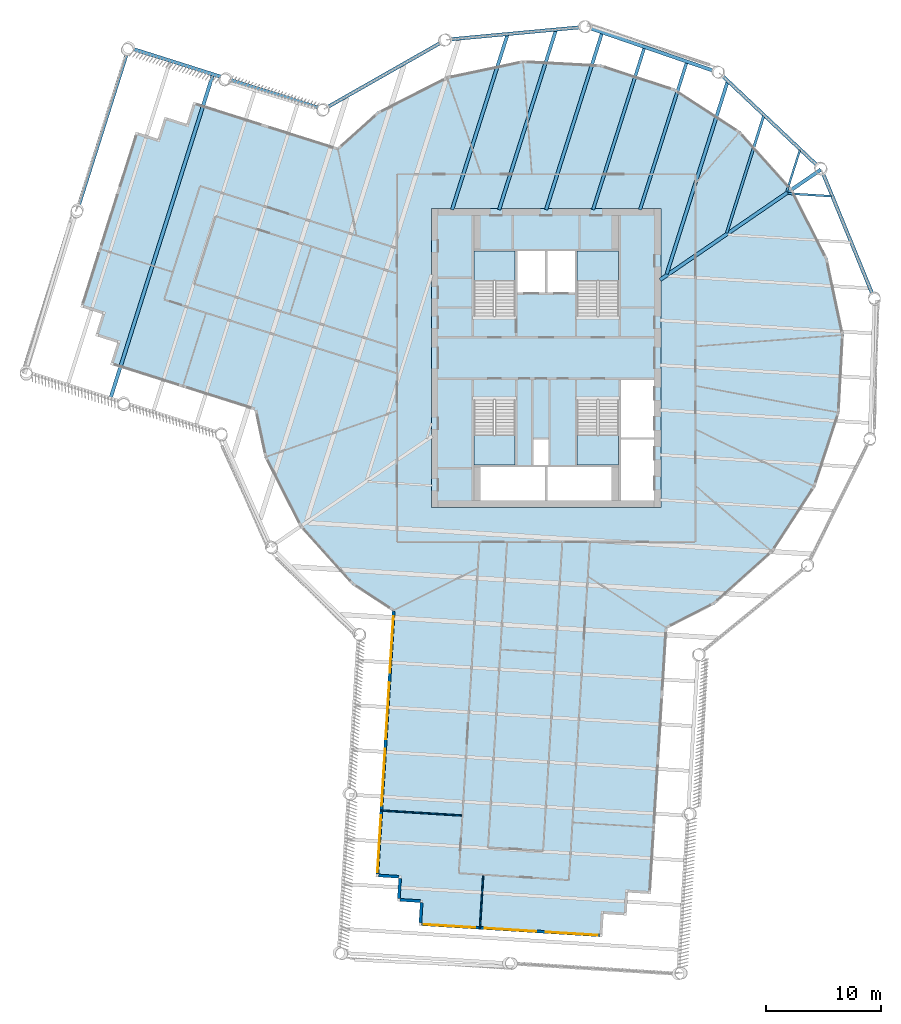
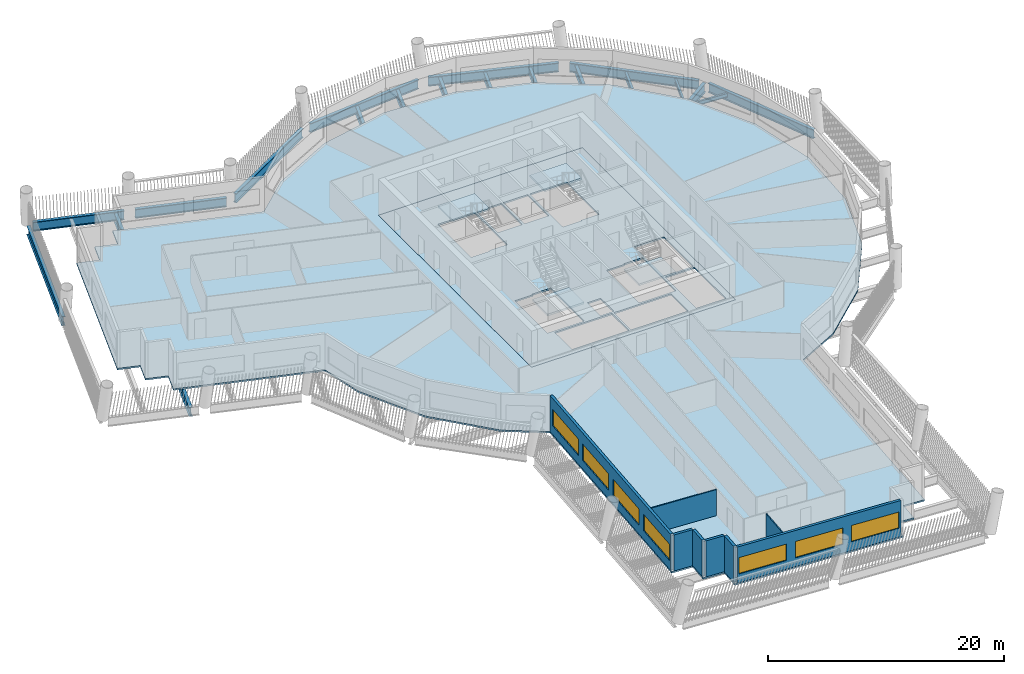
# One storey, part 2 of 15: 19 beams, 8 walls, 7 windows, 6 slabs, 7 openings, 4 elements without a shape of their own.
"""IFC4 building model written with IfcOpenShell, lengths in metres."""

from ifc_helpers import new_model, si_unit, direction, frame, frame_2d, origin, origin_2d, place, context, subcontext, project, spatial, polyline, rectangle, i_section, outline, extrude, material, layer, layer_set, material_profile, profile_set, type_object, element, fill, aggregate, save


model = new_model("IFC4")

# Units and contexts
model_context = context("Model", 3, precision=1e-05, world=origin(), true_north=direction((0.0, 1.0)))
body_context = subcontext(model_context, "Body", "Model", "MODEL_VIEW")
ifc_project = project(units=[si_unit("LENGTHUNIT", "METRE"), si_unit("AREAUNIT", "SQUARE_METRE"), si_unit("VOLUMEUNIT", "CUBIC_METRE"), si_unit("PLANEANGLEUNIT", "RADIAN"), si_unit("MASSUNIT", "GRAM", prefix="KILO")], contexts=[model_context])

# Site, building, storey
site_placement = place(None, origin())
site = spatial("IfcSite", under=ifc_project, at=site_placement, CompositionType="ELEMENT")
building_placement = place(site_placement, origin())
building = spatial("IfcBuilding", under=site, at=building_placement, Name="Tarsis Ring Headquarters", CompositionType="ELEMENT")
storey_placement = place(building_placement, frame((0.0, 0.0, 212.10009765625)))
storey = spatial("IfcBuildingStorey", under=building, at=storey_placement, Name="L49", CompositionType="ELEMENT", Elevation=212.10009765625)

# Beams
ifc_material_1 = material(Name="Structural steel S355", Category="steel")
ifc_material_profile_1 = material_profile(ifc_material_1, i_section(OverallWidth=0.177734375, OverallDepth=0.406494140625, WebThickness=0.0078125, FlangeThickness=0.0126953125, at=origin_2d()), Name="W16x40")
ifc_profile_set_1 = profile_set([ifc_material_profile_1], Name="Structural steel S355")
beam_type_1 = type_object("IfcBeamType", Name="FB Floor beam W16x40", PredefinedType="JOIST", material=ifc_profile_set_1)
for number, where, z_axis, x_axis, name in (
    (1, (21.048583984375, 14.320556640625, -0.36328125), (0.998073492678, -0.062042753113, 0.0), (0.062042753113, 0.998073492678, 0.0), "Floor beam FB1"),
    (2, (22.091064453125, 18.1025390625, -0.36328125), (-0.301736204817, -0.953391453026, 0.0), (0.953391453026, -0.301736204817, 0.0), "Floor beam FB1"),
):
    element("IfcBeam", number, at=place(storey_placement, frame(where, z_axis=z_axis, x_axis=x_axis)), inside=storey, type_object=beam_type_1, Name=name, PredefinedType="JOIST", context=body_context, shape_type="SweptSolid", body=[
        extrude(i_section(OverallWidth=0.177734375, OverallDepth=0.406494140625, WebThickness=0.0078125, FlangeThickness=0.0126953125, at=origin_2d()), origin(), (0.0, 0.0, 1.0), 3.80517578125),
    ])
ifc_material_profile_2 = material_profile(ifc_material_1, i_section(OverallWidth=0.228271484375, OverallDepth=0.607177734375, WebThickness=0.01123046875, FlangeThickness=0.017333984375, at=origin_2d()), Name="W24x76")
ifc_profile_set_2 = profile_set([ifc_material_profile_2], Name="Structural steel S355")
beam_type_2 = type_object("IfcBeamType", Name="FB Floor beam W24x76", PredefinedType="JOIST", material=ifc_profile_set_2)
beam_1_placement = place(storey_placement, frame((18.9423828125, 21.0791015625, -0.463623046875), z_axis=(-0.301699952771, -0.953402925577, 0.0), x_axis=(0.953402925577, -0.301699952771, 0.0)))
element("IfcBeam", 3, at=beam_1_placement, inside=storey, type_object=beam_type_2, Name="Floor beam FB4", PredefinedType="JOIST", context=body_context, shape_type="SweptSolid", body=[
    extrude(i_section(OverallWidth=0.228271484375, OverallDepth=0.607177734375, WebThickness=0.01123046875, FlangeThickness=0.017333984375, at=origin_2d()), origin(), (0.0, 0.0, 1.0), 10.684814453125),
])
ifc_material_profile_3 = material_profile(ifc_material_1, i_section(OverallWidth=0.2666015625, OverallDepth=0.7568359375, WebThickness=0.013916015625, FlangeThickness=0.019287109375, at=origin_2d()), Name="W30x108")
ifc_profile_set_3 = profile_set([ifc_material_profile_3], Name="Structural steel S355")
beam_type_3 = type_object("IfcBeamType", Name="FB Floor beam W30x108", PredefinedType="JOIST", material=ifc_profile_set_3)
beam_2_placement = place(storey_placement, frame((12.2412109375, 25.755859375, -0.53857421875), z_axis=(-0.30171035021, -0.953399635293, 0.0), x_axis=(0.953399635293, -0.30171035021, 0.0)))
element("IfcBeam", 4, at=beam_2_placement, inside=storey, type_object=beam_type_3, Name="Floor beam FB6", PredefinedType="JOIST", context=body_context, shape_type="SweptSolid", body=[
    extrude(i_section(OverallWidth=0.2666015625, OverallDepth=0.7568359375, WebThickness=0.013916015625, FlangeThickness=0.019287109375, at=origin_2d()), origin(), (0.0, 0.0, 1.0), 13.4794921875),
])
beam_3_placement = place(storey_placement, frame((8.553466796875, 27.029052734375, -0.53857421875), z_axis=(-0.301705478418, -0.953401176993, 0.0), x_axis=(0.953401176993, -0.301705478418, 0.0)))
element("IfcBeam", 5, at=beam_3_placement, inside=storey, type_object=beam_type_3, Name="Floor beam FB6", PredefinedType="JOIST", context=body_context, shape_type="SweptSolid", body=[
    extrude(i_section(OverallWidth=0.2666015625, OverallDepth=0.7568359375, WebThickness=0.013916015625, FlangeThickness=0.019287109375, at=origin_2d()), origin(), (0.0, 0.0, 1.0), 14.81494140625),
])
ifc_material_profile_4 = material_profile(ifc_material_1, i_section(OverallWidth=0.2919921875, OverallDepth=0.835693359375, WebThickness=0.013916015625, FlangeThickness=0.018798828125, at=origin_2d()), Name="W33x118")
ifc_profile_set_4 = profile_set([ifc_material_profile_4], Name="Structural steel S355")
beam_type_4 = type_object("IfcBeamType", Name="FB Floor beam W33x118", PredefinedType="JOIST", material=ifc_profile_set_4)
beam_4_placement = place(storey_placement, frame((15.793701171875, 24.055419921875, -0.577880859375), z_axis=(-0.301708731504, -0.953400147543, 0.0), x_axis=(0.953400147543, -0.301708731504, 0.0)))
element("IfcBeam", 6, at=beam_4_placement, inside=storey, type_object=beam_type_4, Name="Floor beam FB7", PredefinedType="JOIST", context=body_context, shape_type="SweptSolid", body=[
    extrude(i_section(OverallWidth=0.2919921875, OverallDepth=0.835693359375, WebThickness=0.013916015625, FlangeThickness=0.018798828125, at=origin_2d()), origin(), (0.0, 0.0, 1.0), 17.564453125),
])
beam_5_placement = place(storey_placement, frame((4.86572265625, 28.30224609375, -0.577880859375), z_axis=(-0.301701412278, -0.953402463721, 0.0), x_axis=(0.953402463721, -0.301701412278, 0.0)))
element("IfcBeam", 7, at=beam_5_placement, inside=storey, type_object=beam_type_4, Name="Floor beam FB7", PredefinedType="JOIST", context=body_context, shape_type="SweptSolid", body=[
    extrude(i_section(OverallWidth=0.2919921875, OverallDepth=0.835693359375, WebThickness=0.013916015625, FlangeThickness=0.018798828125, at=origin_2d()), origin(), (0.0, 0.0, 1.0), 16.150146484375),
])
beam_6_placement = place(storey_placement, frame((0.847900390625, 28.532958984375, -0.577880859375), z_axis=(-0.301700837221, -0.953402645696, 0.0), x_axis=(0.953402645696, -0.301700837221, 0.0)))
element("IfcBeam", 8, at=beam_6_placement, inside=storey, type_object=beam_type_4, Name="Floor beam FB7", PredefinedType="JOIST", context=body_context, shape_type="SweptSolid", body=[
    extrude(i_section(OverallWidth=0.2919921875, OverallDepth=0.835693359375, WebThickness=0.013916015625, FlangeThickness=0.018798828125, at=origin_2d()), origin(), (0.0, 0.0, 1.0), 16.392333984375),
])
beam_7_placement = place(storey_placement, frame((-3.3662109375, 28.14208984375, -0.577880859375), z_axis=(-0.301709594479, -0.953399874449, 0.0), x_axis=(0.953399874449, -0.301709594479, 0.0)))
element("IfcBeam", 9, at=beam_7_placement, inside=storey, type_object=beam_type_4, Name="Floor beam FB7", PredefinedType="JOIST", context=body_context, shape_type="SweptSolid", body=[
    extrude(i_section(OverallWidth=0.2919921875, OverallDepth=0.835693359375, WebThickness=0.013916015625, FlangeThickness=0.018798828125, at=origin_2d()), origin(), (0.0, 0.0, 1.0), 15.982421875),
])
ifc_material_profile_5 = material_profile(ifc_material_1, i_section(OverallWidth=0.309814453125, OverallDepth=0.949951171875, WebThickness=0.0244140625, FlangeThickness=0.0439453125, at=origin_2d()), Name="W36x256")
ifc_profile_set_5 = profile_set([ifc_material_profile_5], Name="Structural steel S355")
beam_type_5 = type_object("IfcBeamType", Name="FB Floor beam W36x256", PredefinedType="JOIST", material=ifc_profile_set_5)
beam_8_placement = place(storey_placement, frame((-29.015869140625, 24.647705078125, -0.635009765625), z_axis=(-0.301703842889, -0.953401694558, 0.0), x_axis=(0.953401694558, -0.301703842889, 0.0)))
element("IfcBeam", 10, at=beam_8_placement, inside=storey, type_object=beam_type_5, Name="Floor beam FB11", PredefinedType="JOIST", context=body_context, shape_type="SweptSolid", body=[
    extrude(i_section(OverallWidth=0.309814453125, OverallDepth=0.949951171875, WebThickness=0.0244140625, FlangeThickness=0.0439453125, at=origin_2d()), origin(), (0.0, 0.0, 1.0), 29.489990234375),
])
beam_type_6 = type_object("IfcBeamType", Name="FB Floor beam W36x256 spine", PredefinedType="BEAM", material=ifc_profile_set_5)
beam_9_placement = place(storey_placement, frame((23.90869140625, 16.39501953125, -0.635009765625), z_axis=(-0.824721564367, -0.565538982978, 0.0), x_axis=(0.565538982978, -0.824721564367, 0.0)))
element("IfcBeam", 11, at=beam_9_placement, inside=storey, type_object=beam_type_6, Name="Floor beam SB11", PredefinedType="BEAM", context=body_context, shape_type="SweptSolid", body=[
    extrude(i_section(OverallWidth=0.309814453125, OverallDepth=0.949951171875, WebThickness=0.0244140625, FlangeThickness=0.0439453125, at=origin_2d()), origin(), (0.0, 0.0, 1.0), 16.96484375),
])
beam_type_7 = type_object("IfcBeamType", Name="XG Ring girder W36x256", PredefinedType="BEAM", material=ifc_profile_set_5)
beam_10_placement = place(storey_placement, frame((28.416748046875, 5.537109375, -0.47509765625), z_axis=(-0.37896629481, 0.925410475085, 0.0), x_axis=(-0.925410475085, -0.37896629481, 0.0)))
element("IfcBeam", 12, at=beam_10_placement, inside=storey, type_object=beam_type_7, Name="Ring girder XG2", PredefinedType="BEAM", context=body_context, shape_type="SweptSolid", body=[
    extrude(i_section(OverallWidth=0.309814453125, OverallDepth=0.949951171875, WebThickness=0.0244140625, FlangeThickness=0.0439453125, at=origin_2d()), origin(), (0.0, 0.0, 1.0), 11.288818359375),
])
beam_11_placement = place(storey_placement, frame((23.60791015625, 16.758056640625, -0.47509765625), z_axis=(-0.726713197085, 0.686940993959, 0.0), x_axis=(-0.686940993959, -0.726713197085, 0.0)))
element("IfcBeam", 13, at=beam_11_placement, inside=storey, type_object=beam_type_7, Name="Ring girder XG2", PredefinedType="BEAM", context=body_context, shape_type="SweptSolid", body=[
    extrude(i_section(OverallWidth=0.309814453125, OverallDepth=0.949951171875, WebThickness=0.0244140625, FlangeThickness=0.0439453125, at=origin_2d()), origin(), (0.0, 0.0, 1.0), 11.28857421875),
])
beam_12_placement = place(storey_placement, frame((14.601806640625, 24.9990234375, -0.47509765625), z_axis=(-0.945251108559, 0.326343901074, 0.0), x_axis=(-0.326343901074, -0.945251108559, 0.0)))
element("IfcBeam", 14, at=beam_12_placement, inside=storey, type_object=beam_type_7, Name="Ring girder XG2", PredefinedType="BEAM", context=body_context, shape_type="SweptSolid", body=[
    extrude(i_section(OverallWidth=0.309814453125, OverallDepth=0.949951171875, WebThickness=0.0244140625, FlangeThickness=0.0439453125, at=origin_2d()), origin(), (0.0, 0.0, 1.0), 11.2890625),
])
beam_13_placement = place(storey_placement, frame((2.999267578125, 28.79541015625, -0.47509765625), z_axis=(-0.995730851306, -0.092304234777, 0.0), x_axis=(0.092304234777, -0.995730851306, 0.0)))
element("IfcBeam", 15, at=beam_13_placement, inside=storey, type_object=beam_type_7, Name="Ring girder XG2", PredefinedType="BEAM", context=body_context, shape_type="SweptSolid", body=[
    extrude(i_section(OverallWidth=0.309814453125, OverallDepth=0.949951171875, WebThickness=0.0244140625, FlangeThickness=0.0439453125, at=origin_2d()), origin(), (0.0, 0.0, 1.0), 11.28857421875),
])
beam_14_placement = place(storey_placement, frame((-9.136474609375, 27.4716796875, -0.47509765625), z_axis=(-0.869155978693, -0.494538051824, 0.0), x_axis=(0.494538051824, -0.869155978693, 0.0)))
element("IfcBeam", 16, at=beam_14_placement, inside=storey, type_object=beam_type_7, Name="Ring girder XG2", PredefinedType="BEAM", context=body_context, shape_type="SweptSolid", body=[
    extrude(i_section(OverallWidth=0.309814453125, OverallDepth=0.949951171875, WebThickness=0.0244140625, FlangeThickness=0.0439453125, at=origin_2d()), origin(), (0.0, 0.0, 1.0), 11.288818359375),
])
for number, where, z_axis, x_axis, name in (
    (17, (-19.8232421875, 21.79638671875, -0.47509765625), (-0.953398977644, 0.30171242836, 0.0), (-0.30171242836, -0.953398977644, 0.0), "Ring girder XG2"),
    (18, (-28.310546875, 24.482177734375, -0.47509765625), (-0.953398977644, 0.30171242836, 0.0), (-0.30171242836, -0.953398977644, 0.0), "Ring girder XG2"),
):
    element("IfcBeam", number, at=place(storey_placement, frame(where, z_axis=z_axis, x_axis=x_axis)), inside=storey, type_object=beam_type_7, Name=name, PredefinedType="BEAM", context=body_context, shape_type="SweptSolid", body=[
        extrude(i_section(OverallWidth=0.309814453125, OverallDepth=0.949951171875, WebThickness=0.0244140625, FlangeThickness=0.0439453125, at=origin_2d()), origin(), (0.0, 0.0, 1.0), 7.942138671875),
    ])
beam_15_placement = place(storey_placement, frame((-36.485107421875, 26.565673828125, -0.47509765625), z_axis=(-0.301701178633, -0.953402537657, 0.0), x_axis=(0.953402537657, -0.301701178633, 0.0)))
element("IfcBeam", 19, at=beam_15_placement, inside=storey, type_object=beam_type_7, Name="Ring girder XG2", PredefinedType="BEAM", context=body_context, shape_type="SweptSolid", body=[
    extrude(i_section(OverallWidth=0.309814453125, OverallDepth=0.949951171875, WebThickness=0.0244140625, FlangeThickness=0.0439453125, at=origin_2d()), origin(), (0.0, 0.0, 1.0), 13.840087890625),
])

# Slab
ifc_material_2 = material(Name="Concrete C40/50", Category="concrete")
ifc_layer_1 = layer(ifc_material_2, 0.159912109375)
ifc_layer_set_1 = layer_set([ifc_layer_1], Name="Core floor slab 160 C40/50")
slab_type_1 = type_object("IfcSlabType", Name="Core floor slab 160 C40/50", PredefinedType="FLOOR", material=ifc_layer_set_1)
slab_1_placement = place(storey_placement, frame((0.0, 0.0, -0.16015625)))
element("IfcSlab", 20, at=slab_1_placement, inside=storey, type_object=slab_type_1, Name="L49 core floor slab", PredefinedType="FLOOR", context=body_context, shape_type="SweptSolid", body=[
    extrude(outline(polyline([(-10.0, -13.0), (10.0, -13.0), (10.0, 13.0), (-10.0, 13.0), (-10.0, -13.0)]), holes=[polyline([(-2.5, 5.699951171875), (-0.10009765625, 5.699951171875), (-0.10009765625, 9.300048828125), (-2.5, 9.300048828125), (-2.5, 5.699951171875)]), polyline([(0.10009765625, 5.699951171875), (2.5, 5.699951171875), (2.5, 9.300048828125), (0.10009765625, 9.300048828125), (0.10009765625, 5.699951171875)]), polyline([(6.5, -12.39990234375), (9.39990234375, -12.39990234375), (9.39990234375, -7.10009765625), (6.5, -7.10009765625), (6.5, -12.39990234375)]), polyline([(6.5, -6.89990234375), (9.39990234375, -6.89990234375), (9.39990234375, -1.89990234375), (6.5, -1.89990234375), (6.5, -6.89990234375)]), polyline([(-5.699951171875, -12.39990234375), (-0.10009765625, -12.39990234375), (-0.10009765625, -9.5), (-5.699951171875, -9.5), (-5.699951171875, -12.39990234375)]), polyline([(0.10009765625, -12.39990234375), (5.699951171875, -12.39990234375), (5.699951171875, -9.5), (0.10009765625, -9.5), (0.10009765625, -12.39990234375)]), polyline([(-1.10009765625, -9.300048828125), (0.199951171875, -9.300048828125), (0.199951171875, -7.10009765625), (-1.10009765625, -7.10009765625), (-1.10009765625, -9.300048828125)]), polyline([(-2.699951171875, 3.760009765625), (-2.699951171875, 9.300048828125), (-6.300048828125, 9.300048828125), (-6.300048828125, 3.659912109375), (-4.4599609375, 3.659912109375), (-4.4599609375, 3.760009765625), (-2.699951171875, 3.760009765625)]), polyline([(6.300048828125, 3.760009765625), (6.300048828125, 9.300048828125), (2.699951171875, 9.300048828125), (2.699951171875, 3.659912109375), (4.5400390625, 3.659912109375), (4.5400390625, 3.760009765625), (6.300048828125, 3.760009765625)]), polyline([(-6.300048828125, -3.760009765625), (-6.300048828125, -9.300048828125), (-2.699951171875, -9.300048828125), (-2.699951171875, -3.659912109375), (-4.5400390625, -3.659912109375), (-4.5400390625, -3.760009765625), (-6.300048828125, -3.760009765625)]), polyline([(2.699951171875, -3.760009765625), (2.699951171875, -9.300048828125), (6.300048828125, -9.300048828125), (6.300048828125, -3.659912109375), (4.4599609375, -3.659912109375), (4.4599609375, -3.760009765625), (2.699951171875, -3.760009765625)])]), origin(), (0.0, 0.0, 1.0), 0.16015625),
])

# Stair, slab
ifc_material_3 = material(Name="Core stair 1760")
stair_type = type_object("IfcStairType", Name="Core stair 1760", PredefinedType="HALF_TURN_STAIR", material=ifc_material_3)
stair_1_placement = place(storey_placement, origin())
stair_1 = element("IfcStair", 21, at=stair_1_placement, inside=storey, type_object=stair_type, Name="L49 Firefighting stair", PredefinedType="HALF_TURN_STAIR")
ifc_layer_2 = layer(ifc_material_2, 0.199951171875)
ifc_layer_set_2 = layer_set([ifc_layer_2], Name="Core stair landing 200")
slab_type_2 = type_object("IfcSlabType", Name="Core stair landing 200", PredefinedType="LANDING", material=ifc_layer_set_2)
slab_2_placement = place(storey_placement, frame((0.0, 0.0, 1.75)))
slab_2 = element("IfcSlab", 22, at=slab_2_placement, type_object=slab_type_2, Name="Stair ST1 landing 1", PredefinedType="LANDING", context=body_context, shape_type="SweptSolid", body=[
    extrude(outline(polyline([(-2.699951171875, 6.739990234375), (-2.699951171875, 9.300048828125), (-6.300048828125, 9.300048828125), (-6.300048828125, 6.739990234375), (-2.699951171875, 6.739990234375)])), origin(), (0.0, 0.0, 1.0), 0.199951171875),
])
aggregate(stair_1, [slab_2])

stair_2_placement = place(storey_placement, origin())
stair_2 = element("IfcStair", 23, at=stair_2_placement, inside=storey, type_object=stair_type, Name="L49 Exit stair B", PredefinedType="HALF_TURN_STAIR")
slab_3_placement = place(storey_placement, frame((0.0, 0.0, 1.75)))
slab_3 = element("IfcSlab", 24, at=slab_3_placement, type_object=slab_type_2, Name="Stair ST2 landing 1", PredefinedType="LANDING", context=body_context, shape_type="SweptSolid", body=[
    extrude(outline(polyline([(6.300048828125, 6.739990234375), (6.300048828125, 9.300048828125), (2.699951171875, 9.300048828125), (2.699951171875, 6.739990234375), (6.300048828125, 6.739990234375)])), origin(), (0.0, 0.0, 1.0), 0.199951171875),
])
aggregate(stair_2, [slab_3])

stair_3_placement = place(storey_placement, origin())
stair_3 = element("IfcStair", 25, at=stair_3_placement, inside=storey, type_object=stair_type, Name="L49 Exit stair C", PredefinedType="HALF_TURN_STAIR")
slab_4_placement = place(storey_placement, frame((0.0, 0.0, 1.75)))
slab_4 = element("IfcSlab", 26, at=slab_4_placement, type_object=slab_type_2, Name="Stair ST3 landing 1", PredefinedType="LANDING", context=body_context, shape_type="SweptSolid", body=[
    extrude(outline(polyline([(-6.300048828125, -6.739990234375), (-6.300048828125, -9.300048828125), (-2.699951171875, -9.300048828125), (-2.699951171875, -6.739990234375), (-6.300048828125, -6.739990234375)])), origin(), (0.0, 0.0, 1.0), 0.199951171875),
])
aggregate(stair_3, [slab_4])

stair_4_placement = place(storey_placement, origin())
stair_4 = element("IfcStair", 27, at=stair_4_placement, inside=storey, type_object=stair_type, Name="L49 Exit stair D", PredefinedType="HALF_TURN_STAIR")
slab_5_placement = place(storey_placement, frame((0.0, 0.0, 1.75)))
slab_5 = element("IfcSlab", 28, at=slab_5_placement, type_object=slab_type_2, Name="Stair ST4 landing 1", PredefinedType="LANDING", context=body_context, shape_type="SweptSolid", body=[
    extrude(outline(polyline([(2.699951171875, -6.739990234375), (2.699951171875, -9.300048828125), (6.300048828125, -9.300048828125), (6.300048828125, -6.739990234375), (2.699951171875, -6.739990234375)])), origin(), (0.0, 0.0, 1.0), 0.199951171875),
])
aggregate(stair_4, [slab_5])

# Slab
ifc_material_4 = material(Name="Concrete C35/45", Category="concrete")
ifc_layer_3 = layer(ifc_material_4, 0.159912109375)
ifc_layer_set_3 = layer_set([ifc_layer_3], Name="FS Composite floor slab 160")
slab_type_3 = type_object("IfcSlabType", Name="FS Composite floor slab 160", PredefinedType="FLOOR", material=ifc_layer_set_3)
slab_6_placement = place(storey_placement, frame((0.0, 0.0, -0.16015625)))
element("IfcSlab", 29, at=slab_6_placement, inside=storey, type_object=slab_type_3, Name="Floor slab L49", PredefinedType="FLOOR", context=body_context, shape_type="SweptSolid", body=[
    extrude(outline(polyline([(-25.384765625, -4.553466796875), (-24.517822265625, -8.6533203125), (-21.442626953125, -14.7041015625), (-16.90625, -19.7529296875), (-13.394287109375, -22.038818359375), (-14.833251953125, -45.166015625), (-12.8369140625, -45.290283203125), (-12.961181640625, -47.286376953125), (-10.965087890625, -47.41064453125), (-11.08935546875, -49.40673828125), (4.8798828125, -50.400146484375), (5.004150390625, -48.404052734375), (7.000244140625, -48.5283203125), (7.12451171875, -46.5322265625), (9.12060546875, -46.65625), (10.55810546875, -23.5498046875), (14.7041015625, -21.442626953125), (19.7529296875, -16.90625), (23.45556640625, -11.2177734375), (25.5595703125, -4.764892578125), (25.921875, 2.0126953125), (24.517822265625, 8.6533203125), (21.442626953125, 14.7041015625), (16.90625, 19.7529296875), (11.2177734375, 23.45556640625), (4.764892578125, 25.5595703125), (-2.0126953125, 25.921875), (-8.6533203125, 24.517822265625), (-14.7041015625, 21.442626953125), (-18.16357421875, 18.33447265625), (-30.701904296875, 22.30224609375), (-31.305419921875, 20.395263671875), (-33.212158203125, 20.998779296875), (-33.815673828125, 19.092041015625), (-35.722412109375, 19.6953125), (-40.5498046875, 4.44091796875), (-38.642822265625, 3.837646484375), (-39.246337890625, 1.9306640625), (-37.339599609375, 1.327392578125), (-37.94287109375, -0.579345703125), (-25.384765625, -4.553466796875)]), holes=[polyline([(-10.0, -13.0), (-10.0, 13.0), (10.0, 13.0), (10.0, -13.0), (-10.0, -13.0)])]), origin(), (0.0, 0.0, 1.0), 0.16015625),
])

# Walls
ifc_material_5 = material(Name="Gypsum board on steel studs", Category="steel")
ifc_layer_4 = layer(ifc_material_5, 0.10009765625)
ifc_layer_set_4 = layer_set([ifc_layer_4], Name="FL partition 100 unrated")
wall_type_1 = type_object("IfcWallType", Name="FL partition 100 unrated", PredefinedType="PARTITIONING", material=ifc_layer_set_4)
wall_1_placement = place(storey_placement, frame((-14.423583984375, -39.390380859375, 0.0), z_axis=(0.0, 0.0, 1.0), x_axis=(0.998069581958, -0.06210563235, 0.0)))
element("IfcWall", 30, at=wall_1_placement, inside=storey, type_object=wall_type_1, Name="Partition PW3", PredefinedType="PARTITIONING", context=body_context, shape_type="SweptSolid", body=[
    extrude(rectangle(XDim=7.079833984375, YDim=0.10009765625, at=frame_2d((3.5400390625, 0.0))), origin(), (0.0, 0.0, 1.0), 2.699951171875),
])
wall_2_placement = place(storey_placement, frame((-5.766357421875, -49.687744140625, 0.0), z_axis=(0.0, 0.0, 1.0), x_axis=(0.062090007058, 0.998070554131, 0.0)))
element("IfcWall", 31, at=wall_2_placement, inside=storey, type_object=wall_type_1, Name="Partition PW3", PredefinedType="PARTITIONING", context=body_context, shape_type="SweptSolid", body=[
    extrude(rectangle(XDim=4.639892578125, YDim=0.10009765625, at=frame_2d((2.31982421875, 0.0))), origin(), (0.0, 0.0, 1.0), 2.699951171875),
])

# Wall, openings, windows
ifc_material_6 = material(Name="Terracotta clad insulated panel wall", Category="masonry")
ifc_layer_5 = layer(ifc_material_6, 0.25)
ifc_layer_set_5 = layer_set([ifc_layer_5], Name="Facade wall terracotta panel 250")
wall_type_2 = type_object("IfcWallType", Name="Facade wall terracotta panel 250", PredefinedType="STANDARD", material=ifc_layer_set_5)
wall_3_placement = place(storey_placement, frame((-13.26953125, -22.046630859375, 0.0), z_axis=(0.0, 0.0, 1.0), x_axis=(-0.062095141965, -0.998070234675, 0.0)))
wall_3 = element("IfcWall", 32, at=wall_3_placement, inside=storey, type_object=wall_type_2, Name="External wall L49-06", PredefinedType="STANDARD", context=body_context, shape_type="SweptSolid", body=[
    extrude(rectangle(XDim=22.921875, YDim=0.25, at=frame_2d((11.4609375, 0.0))), origin(), (0.0, 0.0, 1.0), 3.739990234375),
])
opening_1_placement = place(wall_3_placement, frame((0.42138671875, 0.0, 0.89990234375)))
opening_1 = element("IfcOpeningElement", 33, at=opening_1_placement, cuts=wall_3, Name="Opening WN05", PredefinedType="OPENING", context=body_context, shape_type="SweptSolid", body=[
    extrude(rectangle(XDim=4.949951171875, YDim=1.699951171875, at=frame_2d((2.47509765625, 0.85009765625))), frame((0.0, 0.135009765625, 0.0), z_axis=(0.0, -1.0, 0.0), x_axis=(1.0, 0.0, 0.0)), (0.0, 0.0, 1.0), 0.27001953125),
])
opening_2_placement = place(wall_3_placement, frame((6.214599609375, 0.0, 0.89990234375)))
opening_2 = element("IfcOpeningElement", 34, at=opening_2_placement, cuts=wall_3, Name="Opening WN05", PredefinedType="OPENING", context=body_context, shape_type="SweptSolid", body=[
    extrude(rectangle(XDim=4.949951171875, YDim=1.699951171875, at=frame_2d((2.47509765625, 0.85009765625))), frame((0.0, 0.135009765625, 0.0), z_axis=(0.0, -1.0, 0.0), x_axis=(1.0, 0.0, 0.0)), (0.0, 0.0, 1.0), 0.27001953125),
])
opening_3_placement = place(wall_3_placement, frame((12.007568359375, 0.0, 0.89990234375)))
opening_3 = element("IfcOpeningElement", 35, at=opening_3_placement, cuts=wall_3, Name="Opening WN05", PredefinedType="OPENING", context=body_context, shape_type="SweptSolid", body=[
    extrude(rectangle(XDim=4.949951171875, YDim=1.699951171875, at=frame_2d((2.47509765625, 0.85009765625))), frame((0.0, 0.135009765625, 0.0), z_axis=(0.0, -1.0, 0.0), x_axis=(1.0, 0.0, 0.0)), (0.0, 0.0, 1.0), 0.27001953125),
])
opening_4_placement = place(wall_3_placement, frame((17.800537109375, 0.0, 0.89990234375)))
opening_4 = element("IfcOpeningElement", 36, at=opening_4_placement, cuts=wall_3, Name="Opening WN05", PredefinedType="OPENING", context=body_context, shape_type="SweptSolid", body=[
    extrude(rectangle(XDim=4.949951171875, YDim=1.699951171875, at=frame_2d((2.47509765625, 0.85009765625))), frame((0.0, 0.135009765625, 0.0), z_axis=(0.0, -1.0, 0.0), x_axis=(1.0, 0.0, 0.0)), (0.0, 0.0, 1.0), 0.27001953125),
])
ifc_material_7 = material(Name="Aluminium framed double glazing", Category="aluminium")
window_type_1 = type_object("IfcWindowType", Name="Facade window 4950 x 1700", PartitioningType="SINGLE_PANEL", PredefinedType="WINDOW", material=ifc_material_7)
window_1_placement = place(opening_1_placement, origin())
window_1 = element("IfcWindow", 37, at=window_1_placement, inside=storey, type_object=window_type_1, Name="Window L49-06.1", OverallHeight=1.699951171875, OverallWidth=4.949951171875, PartitioningType="SINGLE_PANEL", PredefinedType="WINDOW", context=body_context, shape_type="SweptSolid", body=[
    extrude(rectangle(XDim=4.949951171875, YDim=1.699951171875, at=frame_2d((2.47509765625, 0.85009765625))), frame((0.0, 0.030029296875, 0.0), z_axis=(0.0, -1.0, 0.0), x_axis=(1.0, 0.0, 0.0)), (0.0, 0.0, 1.0), 0.06005859375),
])
fill(opening_1, window_1)
window_2_placement = place(opening_2_placement, origin())
window_2 = element("IfcWindow", 38, at=window_2_placement, inside=storey, type_object=window_type_1, Name="Window L49-06.2", OverallHeight=1.699951171875, OverallWidth=4.949951171875, PartitioningType="SINGLE_PANEL", PredefinedType="WINDOW", context=body_context, shape_type="SweptSolid", body=[
    extrude(rectangle(XDim=4.949951171875, YDim=1.699951171875, at=frame_2d((2.47509765625, 0.85009765625))), frame((0.0, 0.030029296875, 0.0), z_axis=(0.0, -1.0, 0.0), x_axis=(1.0, 0.0, 0.0)), (0.0, 0.0, 1.0), 0.06005859375),
])
fill(opening_2, window_2)
window_3_placement = place(opening_3_placement, origin())
window_3 = element("IfcWindow", 39, at=window_3_placement, inside=storey, type_object=window_type_1, Name="Window L49-06.3", OverallHeight=1.699951171875, OverallWidth=4.949951171875, PartitioningType="SINGLE_PANEL", PredefinedType="WINDOW", context=body_context, shape_type="SweptSolid", body=[
    extrude(rectangle(XDim=4.949951171875, YDim=1.699951171875, at=frame_2d((2.47509765625, 0.85009765625))), frame((0.0, 0.030029296875, 0.0), z_axis=(0.0, -1.0, 0.0), x_axis=(1.0, 0.0, 0.0)), (0.0, 0.0, 1.0), 0.06005859375),
])
fill(opening_3, window_3)
window_4_placement = place(opening_4_placement, origin())
window_4 = element("IfcWindow", 40, at=window_4_placement, inside=storey, type_object=window_type_1, Name="Window L49-06.4", OverallHeight=1.699951171875, OverallWidth=4.949951171875, PartitioningType="SINGLE_PANEL", PredefinedType="WINDOW", context=body_context, shape_type="SweptSolid", body=[
    extrude(rectangle(XDim=4.949951171875, YDim=1.699951171875, at=frame_2d((2.47509765625, 0.85009765625))), frame((0.0, 0.030029296875, 0.0), z_axis=(0.0, -1.0, 0.0), x_axis=(1.0, 0.0, 0.0)), (0.0, 0.0, 1.0), 0.06005859375),
])
fill(opening_4, window_4)

# Walls
for number, where, z_axis, x_axis, name in (
    (41, (-14.575927734375, -45.056884765625, 0.0), (0.0, 0.0, 1.0), (0.998070991674, -0.062082973343, 0.0), "External wall L49-07"),
    (42, (-12.712158203125, -45.298095703125, 0.0), (0.0, 0.0, 1.0), (-0.062082973343, -0.998070991674, 0.0), "External wall L49-08"),
    (43, (-12.703857421875, -47.17724609375, 0.0), (0.0, 0.0, 1.0), (0.998070991674, -0.062082973343, 0.0), "External wall L49-09"),
    (44, (-10.84033203125, -47.41845703125, 0.0), (0.0, 0.0, 1.0), (-0.062082973343, -0.998070991674, 0.0), "External wall L49-10"),
):
    element("IfcWall", number, at=place(storey_placement, frame(where, z_axis=z_axis, x_axis=x_axis)), inside=storey, type_object=wall_type_2, Name=name, PredefinedType="STANDARD", context=body_context, shape_type="SweptSolid", body=[
        extrude(rectangle(XDim=1.75, YDim=0.25, at=frame_2d((0.875, 0.0))), origin(), (0.0, 0.0, 1.0), 3.739990234375),
    ])

# Wall, openings, windows
wall_4_placement = place(storey_placement, frame((-10.83203125, -49.297607421875, 0.0), z_axis=(0.0, 0.0, 1.0), x_axis=(0.998070555366, -0.062089987205, 0.0)))
wall_4 = element("IfcWall", 45, at=wall_4_placement, inside=storey, type_object=wall_type_2, Name="External wall L49-11", PredefinedType="STANDARD", context=body_context, shape_type="SweptSolid", body=[
    extrude(rectangle(XDim=15.5, YDim=0.25, at=frame_2d((7.75, 0.0))), origin(), (0.0, 0.0, 1.0), 3.739990234375),
])
opening_5_placement = place(wall_4_placement, frame((0.166748046875, 0.0, 0.89990234375)))
opening_5 = element("IfcOpeningElement", 46, at=opening_5_placement, cuts=wall_4, Name="Opening WN04", PredefinedType="OPENING", context=body_context, shape_type="SweptSolid", body=[
    extrude(rectangle(XDim=4.5, YDim=1.699951171875, at=frame_2d((2.25, 0.85009765625))), frame((0.0, 0.135009765625, 0.0), z_axis=(0.0, -1.0, 0.0), x_axis=(1.0, 0.0, 0.0)), (0.0, 0.0, 1.0), 0.27001953125),
])
opening_6_placement = place(wall_4_placement, frame((5.5, 0.0, 0.89990234375)))
opening_6 = element("IfcOpeningElement", 47, at=opening_6_placement, cuts=wall_4, Name="Opening WN04", PredefinedType="OPENING", context=body_context, shape_type="SweptSolid", body=[
    extrude(rectangle(XDim=4.5, YDim=1.699951171875, at=frame_2d((2.25, 0.85009765625))), frame((0.0, 0.135009765625, 0.0), z_axis=(0.0, -1.0, 0.0), x_axis=(1.0, 0.0, 0.0)), (0.0, 0.0, 1.0), 0.27001953125),
])
opening_7_placement = place(wall_4_placement, frame((10.833251953125, 0.0, 0.89990234375)))
opening_7 = element("IfcOpeningElement", 48, at=opening_7_placement, cuts=wall_4, Name="Opening WN04", PredefinedType="OPENING", context=body_context, shape_type="SweptSolid", body=[
    extrude(rectangle(XDim=4.5, YDim=1.699951171875, at=frame_2d((2.25, 0.85009765625))), frame((0.0, 0.135009765625, 0.0), z_axis=(0.0, -1.0, 0.0), x_axis=(1.0, 0.0, 0.0)), (0.0, 0.0, 1.0), 0.27001953125),
])
window_type_2 = type_object("IfcWindowType", Name="Facade window 4500 x 1700", PartitioningType="SINGLE_PANEL", PredefinedType="WINDOW", material=ifc_material_7)
window_5_placement = place(opening_5_placement, origin())
window_5 = element("IfcWindow", 49, at=window_5_placement, inside=storey, type_object=window_type_2, Name="Window L49-11.1", OverallHeight=1.699951171875, OverallWidth=4.5, PartitioningType="SINGLE_PANEL", PredefinedType="WINDOW", context=body_context, shape_type="SweptSolid", body=[
    extrude(rectangle(XDim=4.5, YDim=1.699951171875, at=frame_2d((2.25, 0.85009765625))), frame((0.0, 0.030029296875, 0.0), z_axis=(0.0, -1.0, 0.0), x_axis=(1.0, 0.0, 0.0)), (0.0, 0.0, 1.0), 0.06005859375),
])
fill(opening_5, window_5)
window_6_placement = place(opening_6_placement, origin())
window_6 = element("IfcWindow", 50, at=window_6_placement, inside=storey, type_object=window_type_2, Name="Window L49-11.2", OverallHeight=1.699951171875, OverallWidth=4.5, PartitioningType="SINGLE_PANEL", PredefinedType="WINDOW", context=body_context, shape_type="SweptSolid", body=[
    extrude(rectangle(XDim=4.5, YDim=1.699951171875, at=frame_2d((2.25, 0.85009765625))), frame((0.0, 0.030029296875, 0.0), z_axis=(0.0, -1.0, 0.0), x_axis=(1.0, 0.0, 0.0)), (0.0, 0.0, 1.0), 0.06005859375),
])
fill(opening_6, window_6)
window_7_placement = place(opening_7_placement, origin())
window_7 = element("IfcWindow", 51, at=window_7_placement, inside=storey, type_object=window_type_2, Name="Window L49-11.3", OverallHeight=1.699951171875, OverallWidth=4.5, PartitioningType="SINGLE_PANEL", PredefinedType="WINDOW", context=body_context, shape_type="SweptSolid", body=[
    extrude(rectangle(XDim=4.5, YDim=1.699951171875, at=frame_2d((2.25, 0.85009765625))), frame((0.0, 0.030029296875, 0.0), z_axis=(0.0, -1.0, 0.0), x_axis=(1.0, 0.0, 0.0)), (0.0, 0.0, 1.0), 0.06005859375),
])
fill(opening_7, window_7)

save(model, "model.ifc")
